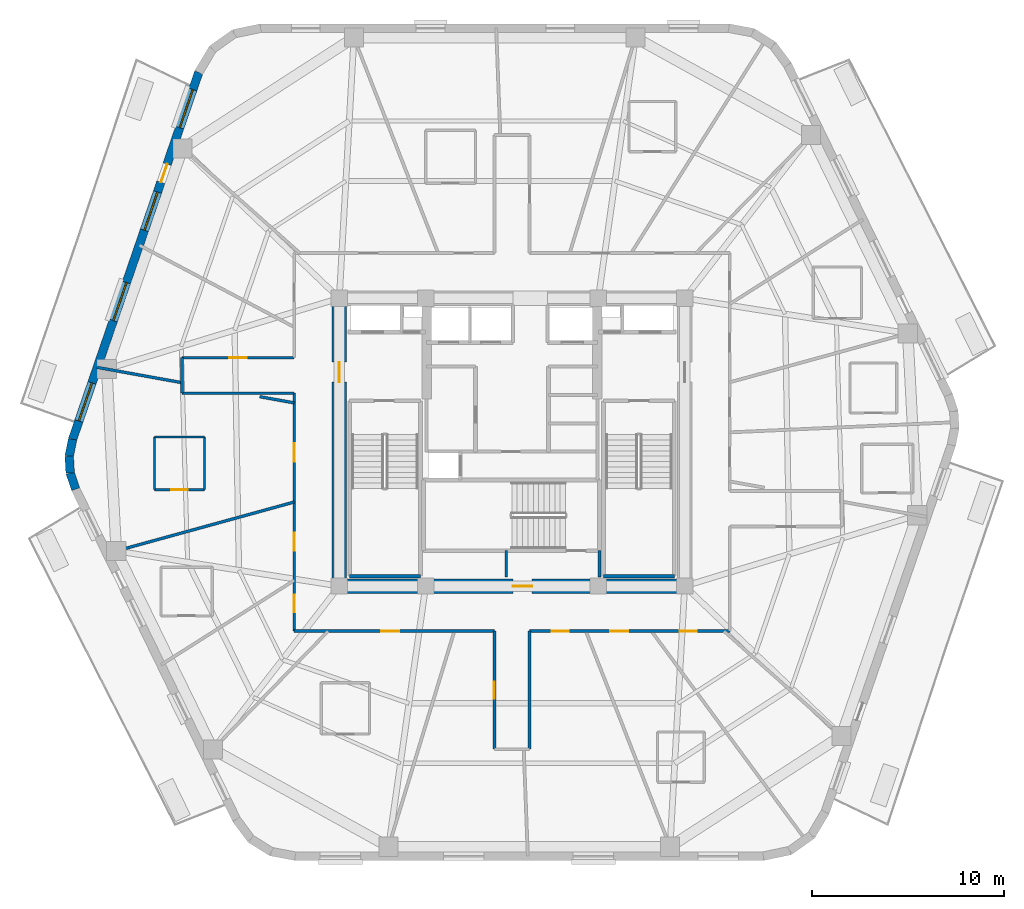
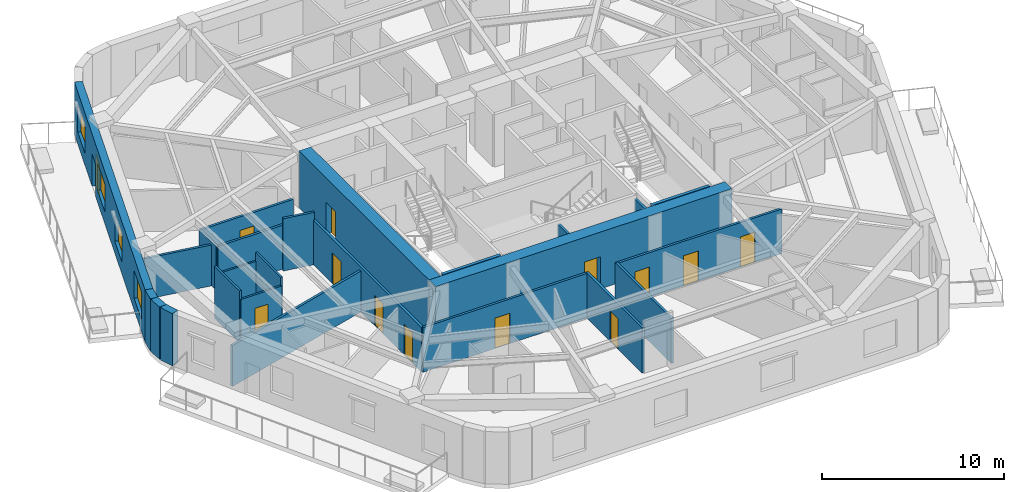
# One storey, part 3 of 10: 25 walls, 13 doors, 4 windows, 17 openings.
"""IFC4 building model written with IfcOpenShell, lengths in metres."""

from ifc_helpers import new_model, si_unit, direction, frame, frame_2d, origin, place, context, subcontext, project, spatial, rectangle, extrude, material, layer, layer_set, type_object, element, fill, save


model = new_model("IFC4")

# Units and contexts
model_context = context("Model", 3, precision=1e-05, world=origin(), true_north=direction((0.0, 1.0)))
body_context = subcontext(model_context, "Body", "Model", "MODEL_VIEW")
ifc_project = project(units=[si_unit("LENGTHUNIT", "METRE"), si_unit("AREAUNIT", "SQUARE_METRE"), si_unit("VOLUMEUNIT", "CUBIC_METRE"), si_unit("PLANEANGLEUNIT", "RADIAN"), si_unit("MASSUNIT", "GRAM", prefix="KILO")], contexts=[model_context])

# Site, building, storey
site_placement = place(None, origin())
site = spatial("IfcSite", under=ifc_project, at=site_placement, CompositionType="ELEMENT")
building_placement = place(site_placement, origin())
building = spatial("IfcBuilding", under=site, at=building_placement, Name="Kilnhurst Terrace Hotel", CompositionType="ELEMENT")
storey_placement = place(building_placement, frame((0.0, 0.0, 206.5)))
storey = spatial("IfcBuildingStorey", under=building, at=storey_placement, Name="L51", CompositionType="ELEMENT", Elevation=206.5)

# Walls
ifc_material_1 = material(Name="Precast concrete C40/50", Category="concrete")
ifc_layer_1 = layer(ifc_material_1, 0.449951171875, Name="Precast concrete C40/50")
ifc_layer_set_1 = layer_set([ifc_layer_1], Name="Precast concrete C40/50")
wall_type_1 = type_object("IfcWallType", Name="WL-BRK-450", PredefinedType="SOLIDWALL", material=ifc_layer_set_1)
wall_1_placement = place(storey_placement, frame((-22.8984375, 0.149658203125, 0.0), z_axis=(0.0, 0.0, 1.0), x_axis=(-0.199055826889, -0.979988151858, 0.0)))
element("IfcWall", 1, at=wall_1_placement, inside=storey, type_object=wall_type_1, Name="L51 Rounded Corner Brick Wall C6.1", PredefinedType="SOLIDWALL", context=body_context, shape_type="SweptSolid", body=[
    extrude(rectangle(XDim=0.89404296875, YDim=0.449951171875, at=frame_2d((0.447021484375, 0.0))), origin(), (0.0, 0.0, 1.0), 3.5),
])
wall_2_placement = place(storey_placement, frame((-23.076416015625, -0.7265625, 0.0), z_axis=(0.0, 0.0, 1.0), x_axis=(0.060805222108, -0.998149650586, 0.0)))
element("IfcWall", 2, at=wall_2_placement, inside=storey, type_object=wall_type_1, Name="L51 Rounded Corner Brick Wall C6.2", PredefinedType="SOLIDWALL", context=body_context, shape_type="SweptSolid", body=[
    extrude(rectangle(XDim=0.87939453125, YDim=0.449951171875, at=frame_2d((0.439697265625, 0.0))), origin(), (0.0, 0.0, 1.0), 3.5),
])
wall_3_placement = place(storey_placement, frame((-23.02294921875, -1.604248046875, 0.0), z_axis=(0.0, 0.0, 1.0), x_axis=(0.316801227695, -0.948491951537, 0.0)))
element("IfcWall", 3, at=wall_3_placement, inside=storey, type_object=wall_type_1, Name="L51 Rounded Corner Brick Wall C6.3", PredefinedType="SOLIDWALL", context=body_context, shape_type="SweptSolid", body=[
    extrude(rectangle(XDim=0.89404296875, YDim=0.449951171875, at=frame_2d((0.447021484375, 0.0))), origin(), (0.0, 0.0, 1.0), 3.5),
])

# Wall, openings, door, windows
wall_4_placement = place(storey_placement, frame((-16.323974609375, 19.275146484375, 0.0), z_axis=(0.0, 0.0, 1.0), x_axis=(-0.325083142304, -0.945685439557, 0.0)))
wall_4 = element("IfcWall", 4, at=wall_4_placement, inside=storey, type_object=wall_type_1, Name="L51 Exterior Brick Facade Wall F5", PredefinedType="SOLIDWALL", context=body_context, shape_type="SweptSolid", body=[
    extrude(rectangle(XDim=20.223876953125, YDim=0.449951171875, at=frame_2d((10.11181640625, 0.0))), origin(), (0.0, 0.0, 1.0), 3.5),
])
opening_1_placement = place(wall_4_placement, frame((5.06201171875, 0.0, 0.0)))
opening_1 = element("IfcOpeningElement", 5, at=opening_1_placement, cuts=wall_4, Name="Opening BD-1000", PredefinedType="OPENING", context=body_context, shape_type="SweptSolid", body=[
    extrude(rectangle(XDim=1.0, YDim=2.14990234375, at=frame_2d((0.5, 1.074951171875))), frame((0.0, 0.23486328125, 0.0), z_axis=(0.0, -1.0, 0.0), x_axis=(1.0, 0.0, 0.0)), (0.0, 0.0, 1.0), 0.469970703125),
])
opening_2_placement = place(wall_4_placement, frame((0.952880859375, 0.0, 0.800048828125)))
opening_2 = element("IfcOpeningElement", 6, at=opening_2_placement, cuts=wall_4, Name="Opening W-04", PredefinedType="OPENING", context=body_context, shape_type="SweptSolid", body=[
    extrude(rectangle(XDim=2.10009765625, YDim=1.85009765625, at=frame_2d((1.050048828125, 0.925048828125))), frame((0.0, 0.23486328125, 0.0), z_axis=(0.0, -1.0, 0.0), x_axis=(1.0, 0.0, 0.0)), (0.0, 0.0, 1.0), 0.469970703125),
])
opening_3_placement = place(wall_4_placement, frame((6.60400390625, 0.0, 0.800048828125)))
opening_3 = element("IfcOpeningElement", 7, at=opening_3_placement, cuts=wall_4, Name="Opening W-04", PredefinedType="OPENING", context=body_context, shape_type="SweptSolid", body=[
    extrude(rectangle(XDim=2.10009765625, YDim=1.85009765625, at=frame_2d((1.050048828125, 0.925048828125))), frame((0.0, 0.23486328125, 0.0), z_axis=(0.0, -1.0, 0.0), x_axis=(1.0, 0.0, 0.0)), (0.0, 0.0, 1.0), 0.469970703125),
])
opening_4_placement = place(wall_4_placement, frame((11.5849609375, 0.0, 0.800048828125)))
opening_4 = element("IfcOpeningElement", 8, at=opening_4_placement, cuts=wall_4, Name="Opening W-04", PredefinedType="OPENING", context=body_context, shape_type="SweptSolid", body=[
    extrude(rectangle(XDim=2.10009765625, YDim=1.85009765625, at=frame_2d((1.050048828125, 0.925048828125))), frame((0.0, 0.23486328125, 0.0), z_axis=(0.0, -1.0, 0.0), x_axis=(1.0, 0.0, 0.0)), (0.0, 0.0, 1.0), 0.469970703125),
])
opening_5_placement = place(wall_4_placement, frame((17.117919921875, 0.0, 0.800048828125)))
opening_5 = element("IfcOpeningElement", 9, at=opening_5_placement, cuts=wall_4, Name="Opening W-04", PredefinedType="OPENING", context=body_context, shape_type="SweptSolid", body=[
    extrude(rectangle(XDim=2.10009765625, YDim=1.85009765625, at=frame_2d((1.050048828125, 0.925048828125))), frame((0.0, 0.23486328125, 0.0), z_axis=(0.0, -1.0, 0.0), x_axis=(1.0, 0.0, 0.0)), (0.0, 0.0, 1.0), 0.469970703125),
])
ifc_material_2 = material(Name="Thermally Broken Bronze Aluminium Alloy 6063-T6 and Laminated Glass", Category="aluminium")
door_type_1 = type_object("IfcDoorType", Name="DR-EXT-BAL-1000", OperationType="NOTDEFINED", PredefinedType="DOOR", material=ifc_material_2)
door_1_placement = place(opening_1_placement, origin())
door_1 = element("IfcDoor", 10, at=door_1_placement, inside=storey, type_object=door_type_1, Name="L51 Planted Balcony Door BAL-L2A", OperationType="SINGLE_SWING_LEFT", OverallHeight=2.14990234375, OverallWidth=1.0, PredefinedType="DOOR", context=body_context, shape_type="SweptSolid", body=[
    extrude(rectangle(XDim=1.0, YDim=2.14990234375, at=frame_2d((0.5, 1.074951171875))), frame((0.0, 0.02490234375, 0.0), z_axis=(0.0, -1.0, 0.0), x_axis=(1.0, 0.0, 0.0)), (0.0, 0.0, 1.0), 0.050048828125),
])
fill(opening_1, door_1)
ifc_material_3 = material(Name="Thermally Broken Bronze Aluminium Alloy 6063-T6 and Low-E Glass", Category="aluminium")
window_type = type_object("IfcWindowType", Name="WIN-2100X1850", PartitioningType="SINGLE_PANEL", PredefinedType="WINDOW", material=ifc_material_3)
window_1_placement = place(opening_2_placement, origin())
window_1 = element("IfcWindow", 11, at=window_1_placement, inside=storey, type_object=window_type, Name="L51 Deep-Set Masonry Window F5.1", OverallHeight=1.85009765625, OverallWidth=2.10009765625, PartitioningType="SINGLE_PANEL", PredefinedType="WINDOW", context=body_context, shape_type="SweptSolid", body=[
    extrude(rectangle(XDim=2.10009765625, YDim=1.85009765625, at=frame_2d((1.050048828125, 0.925048828125))), frame((0.0, 0.030029296875, 0.0), z_axis=(0.0, -1.0, 0.0), x_axis=(1.0, 0.0, 0.0)), (0.0, 0.0, 1.0), 0.06005859375),
])
fill(opening_2, window_1)
window_2_placement = place(opening_3_placement, origin())
window_2 = element("IfcWindow", 12, at=window_2_placement, inside=storey, type_object=window_type, Name="L51 Deep-Set Masonry Window F5.2", OverallHeight=1.85009765625, OverallWidth=2.10009765625, PartitioningType="SINGLE_PANEL", PredefinedType="WINDOW", context=body_context, shape_type="SweptSolid", body=[
    extrude(rectangle(XDim=2.10009765625, YDim=1.85009765625, at=frame_2d((1.050048828125, 0.925048828125))), frame((0.0, 0.030029296875, 0.0), z_axis=(0.0, -1.0, 0.0), x_axis=(1.0, 0.0, 0.0)), (0.0, 0.0, 1.0), 0.06005859375),
])
fill(opening_3, window_2)
window_3_placement = place(opening_4_placement, origin())
window_3 = element("IfcWindow", 13, at=window_3_placement, inside=storey, type_object=window_type, Name="L51 Deep-Set Masonry Window F5.3", OverallHeight=1.85009765625, OverallWidth=2.10009765625, PartitioningType="SINGLE_PANEL", PredefinedType="WINDOW", context=body_context, shape_type="SweptSolid", body=[
    extrude(rectangle(XDim=2.10009765625, YDim=1.85009765625, at=frame_2d((1.050048828125, 0.925048828125))), frame((0.0, 0.030029296875, 0.0), z_axis=(0.0, -1.0, 0.0), x_axis=(1.0, 0.0, 0.0)), (0.0, 0.0, 1.0), 0.06005859375),
])
fill(opening_4, window_3)
window_4_placement = place(opening_5_placement, origin())
window_4 = element("IfcWindow", 14, at=window_4_placement, inside=storey, type_object=window_type, Name="L51 Deep-Set Masonry Window F5.4", OverallHeight=1.85009765625, OverallWidth=2.10009765625, PartitioningType="SINGLE_PANEL", PredefinedType="WINDOW", context=body_context, shape_type="SweptSolid", body=[
    extrude(rectangle(XDim=2.10009765625, YDim=1.85009765625, at=frame_2d((1.050048828125, 0.925048828125))), frame((0.0, 0.030029296875, 0.0), z_axis=(0.0, -1.0, 0.0), x_axis=(1.0, 0.0, 0.0)), (0.0, 0.0, 1.0), 0.06005859375),
])
fill(opening_5, window_4)

# Wall, openings, doors
ifc_material_4 = material(Name="Acoustic Double-Gypsum Corridor Partition Assembly")
ifc_layer_2 = layer(ifc_material_4, 0.14990234375, Name="Acoustic Double-Gypsum Corridor Partition Assembly")
ifc_layer_set_2 = layer_set([ifc_layer_2], Name="Acoustic Double-Gypsum Corridor Partition Assembly")
wall_type_2 = type_object("IfcWallType", Name="WL-COR-150", PredefinedType="PARTITIONING", material=ifc_layer_set_2)
wall_5_placement = place(storey_placement, frame((-11.35009765625, -9.85009765625, 0.0), z_axis=(0.0, 0.0, 1.0), x_axis=(0.0, 1.0, 0.0)))
wall_5 = element("IfcWall", 15, at=wall_5_placement, inside=storey, type_object=wall_type_2, Name="L51 Interior Wall WL-L51-COR-01", PredefinedType="PARTITIONING", context=body_context, shape_type="SweptSolid", body=[
    extrude(rectangle(XDim=12.400146484375, YDim=0.14990234375, at=frame_2d((6.2001953125, 0.0))), origin(), (0.0, 0.0, 1.0), 2.989990234375),
])
opening_6_placement = place(wall_5_placement, frame((8.8349609375, 0.0, 0.0)))
opening_6 = element("IfcOpeningElement", 16, at=opening_6_placement, cuts=wall_5, Name="Opening D-60B", PredefinedType="OPENING", context=body_context, shape_type="SweptSolid", body=[
    extrude(rectangle(XDim=0.949951171875, YDim=2.030029296875, at=frame_2d((0.47509765625, 1.01513671875))), frame((0.0, 0.0849609375, 0.0), z_axis=(0.0, -1.0, 0.0), x_axis=(1.0, 0.0, 0.0)), (0.0, 0.0, 1.0), 0.169921875),
])
opening_7_placement = place(wall_5_placement, frame((4.19091796875, 0.0, 0.0)))
opening_7 = element("IfcOpeningElement", 17, at=opening_7_placement, cuts=wall_5, Name="Opening D-60B", PredefinedType="OPENING", context=body_context, shape_type="SweptSolid", body=[
    extrude(rectangle(XDim=0.949951171875, YDim=2.030029296875, at=frame_2d((0.47509765625, 1.01513671875))), frame((0.0, 0.0849609375, 0.0), z_axis=(0.0, -1.0, 0.0), x_axis=(1.0, 0.0, 0.0)), (0.0, 0.0, 1.0), 0.169921875),
])
opening_8_placement = place(wall_5_placement, frame((0.993896484375, 0.0, 0.0)))
opening_8 = element("IfcOpeningElement", 18, at=opening_8_placement, cuts=wall_5, Name="Opening D-60C", PredefinedType="OPENING", context=body_context, shape_type="SweptSolid", body=[
    extrude(rectangle(XDim=0.89990234375, YDim=2.030029296875, at=frame_2d((0.449951171875, 1.01513671875))), frame((0.0, 0.0849609375, 0.0), z_axis=(0.0, -1.0, 0.0), x_axis=(1.0, 0.0, 0.0)), (0.0, 0.0, 1.0), 0.169921875),
])
ifc_material_5 = material(Name="Painted Solid-Core Service Fire Door")
door_type_2 = type_object("IfcDoorType", Name="DR-FD60-900", OperationType="NOTDEFINED", PredefinedType="DOOR", material=ifc_material_5)
door_2_placement = place(opening_8_placement, origin())
door_2 = element("IfcDoor", 19, at=door_2_placement, inside=storey, type_object=door_type_2, Name="L51 Private Tasting Dining Room Door 13", OperationType="SINGLE_SWING_LEFT", OverallHeight=2.030029296875, OverallWidth=0.89990234375, PredefinedType="DOOR", context=body_context, shape_type="SweptSolid", body=[
    extrude(rectangle(XDim=0.89990234375, YDim=2.030029296875, at=frame_2d((0.449951171875, 1.01513671875))), frame((0.0, 0.02490234375, 0.0), z_axis=(0.0, -1.0, 0.0), x_axis=(1.0, 0.0, 0.0)), (0.0, 0.0, 1.0), 0.050048828125),
])
fill(opening_8, door_2)
ifc_material_6 = material(Name="Acoustic Walnut Veneer Solid-Core Fire Door")
door_type_3 = type_object("IfcDoorType", Name="DR-FD60-950", OperationType="NOTDEFINED", PredefinedType="DOOR", material=ifc_material_6)
door_3_placement = place(opening_6_placement, origin())
door_3 = element("IfcDoor", 20, at=door_3_placement, inside=storey, type_object=door_type_3, Name="L51 Executive Suite Entry Door 11", OperationType="SINGLE_SWING_LEFT", OverallHeight=2.030029296875, OverallWidth=0.949951171875, PredefinedType="DOOR", context=body_context, shape_type="SweptSolid", body=[
    extrude(rectangle(XDim=0.949951171875, YDim=2.030029296875, at=frame_2d((0.47509765625, 1.01513671875))), frame((0.0, 0.02490234375, 0.0), z_axis=(0.0, -1.0, 0.0), x_axis=(1.0, 0.0, 0.0)), (0.0, 0.0, 1.0), 0.050048828125),
])
fill(opening_6, door_3)
door_4_placement = place(opening_7_placement, origin())
door_4 = element("IfcDoor", 21, at=door_4_placement, inside=storey, type_object=door_type_3, Name="L51 Guest Room Entry Door 12", OperationType="SINGLE_SWING_RIGHT", OverallHeight=2.030029296875, OverallWidth=0.949951171875, PredefinedType="DOOR", context=body_context, shape_type="SweptSolid", body=[
    extrude(rectangle(XDim=0.949951171875, YDim=2.030029296875, at=frame_2d((0.47509765625, 1.01513671875))), frame((0.0, 0.02490234375, 0.0), z_axis=(0.0, -1.0, 0.0), x_axis=(1.0, 0.0, 0.0)), (0.0, 0.0, 1.0), 0.050048828125),
])
fill(opening_7, door_4)

# Walls
wall_6_placement = place(storey_placement, frame((-11.35009765625, 2.550048828125, 0.0), z_axis=(0.0, 0.0, 1.0), x_axis=(-1.0, 0.0, 0.0)))
element("IfcWall", 22, at=wall_6_placement, inside=storey, type_object=wall_type_2, Name="L51 Interior Wall WL-L51-COR-02", PredefinedType="PARTITIONING", context=body_context, shape_type="SweptSolid", body=[
    extrude(rectangle(XDim=5.849853515625, YDim=0.14990234375, at=frame_2d((2.9248046875, 0.0))), origin(), (0.0, 0.0, 1.0), 2.9404296875),
])
wall_7_placement = place(storey_placement, frame((-17.199951171875, 2.550048828125, 0.0), z_axis=(0.0, 0.0, 1.0), x_axis=(0.0, 1.0, 0.0)))
element("IfcWall", 23, at=wall_7_placement, inside=storey, type_object=wall_type_2, Name="L51 Interior Wall WL-L51-COR-03", PredefinedType="PARTITIONING", context=body_context, shape_type="SweptSolid", body=[
    extrude(rectangle(XDim=1.849853515625, YDim=0.14990234375, at=frame_2d((0.9248046875, 0.0))), origin(), (0.0, 0.0, 1.0), 2.9404296875),
])

# Wall, opening, door
wall_8_placement = place(storey_placement, frame((-17.199951171875, 4.39990234375, 0.0), z_axis=(0.0, 0.0, 1.0), x_axis=(1.0, 0.0, 0.0)))
wall_8 = element("IfcWall", 24, at=wall_8_placement, inside=storey, type_object=wall_type_2, Name="L51 Interior Wall WL-L51-COR-04", PredefinedType="PARTITIONING", context=body_context, shape_type="SweptSolid", body=[
    extrude(rectangle(XDim=5.849853515625, YDim=0.14990234375, at=frame_2d((2.9248046875, 0.0))), origin(), (0.0, 0.0, 1.0), 2.9404296875),
])
opening_9_placement = place(wall_8_placement, frame((2.47509765625, 0.0, 0.0)))
opening_9 = element("IfcOpeningElement", 25, at=opening_9_placement, cuts=wall_8, Name="Opening D-60C", PredefinedType="OPENING", context=body_context, shape_type="SweptSolid", body=[
    extrude(rectangle(XDim=0.89990234375, YDim=2.030029296875, at=frame_2d((0.449951171875, 1.01513671875))), frame((0.0, 0.0849609375, 0.0), z_axis=(0.0, -1.0, 0.0), x_axis=(1.0, 0.0, 0.0)), (0.0, 0.0, 1.0), 0.169921875),
])
door_5_placement = place(opening_9_placement, origin())
door_5 = element("IfcDoor", 26, at=door_5_placement, inside=storey, type_object=door_type_2, Name="L51 Wellness Consultation Room Door 10", OperationType="SINGLE_SWING_RIGHT", OverallHeight=2.030029296875, OverallWidth=0.89990234375, PredefinedType="DOOR", context=body_context, shape_type="SweptSolid", body=[
    extrude(rectangle(XDim=0.89990234375, YDim=2.030029296875, at=frame_2d((0.449951171875, 1.01513671875))), frame((0.0, 0.02490234375, 0.0), z_axis=(0.0, -1.0, 0.0), x_axis=(1.0, 0.0, 0.0)), (0.0, 0.0, 1.0), 0.050048828125),
])
fill(opening_9, door_5)

# Wall, openings, doors
wall_9_placement = place(storey_placement, frame((11.35009765625, -9.85009765625, 0.0), z_axis=(0.0, 0.0, 1.0), x_axis=(-1.0, 0.0, 0.0)))
wall_9 = element("IfcWall", 27, at=wall_9_placement, inside=storey, type_object=wall_type_2, Name="L51 Interior Wall WL-L51-COR-16", PredefinedType="PARTITIONING", context=body_context, shape_type="SweptSolid", body=[
    extrude(rectangle(XDim=10.43017578125, YDim=0.14990234375, at=frame_2d((5.215087890625, 0.0))), origin(), (0.0, 0.0, 1.0), 2.989990234375),
])
opening_10_placement = place(wall_9_placement, frame((8.386962890625, 0.0, 0.0)))
opening_10 = element("IfcOpeningElement", 28, at=opening_10_placement, cuts=wall_9, Name="Opening D-60C", PredefinedType="OPENING", context=body_context, shape_type="SweptSolid", body=[
    extrude(rectangle(XDim=0.89990234375, YDim=2.030029296875, at=frame_2d((0.449951171875, 1.01513671875))), frame((0.0, 0.0849609375, 0.0), z_axis=(0.0, -1.0, 0.0), x_axis=(1.0, 0.0, 0.0)), (0.0, 0.0, 1.0), 0.169921875),
])
opening_11_placement = place(wall_9_placement, frame((5.287109375, 0.0, 0.0)))
opening_11 = element("IfcOpeningElement", 29, at=opening_11_placement, cuts=wall_9, Name="Opening D-60B", PredefinedType="OPENING", context=body_context, shape_type="SweptSolid", body=[
    extrude(rectangle(XDim=0.949951171875, YDim=2.030029296875, at=frame_2d((0.47509765625, 1.01513671875))), frame((0.0, 0.0849609375, 0.0), z_axis=(0.0, -1.0, 0.0), x_axis=(1.0, 0.0, 0.0)), (0.0, 0.0, 1.0), 0.169921875),
])
opening_12_placement = place(wall_9_placement, frame((1.7099609375, 0.0, 0.0)))
opening_12 = element("IfcOpeningElement", 30, at=opening_12_placement, cuts=wall_9, Name="Opening D-60C", PredefinedType="OPENING", context=body_context, shape_type="SweptSolid", body=[
    extrude(rectangle(XDim=0.89990234375, YDim=2.030029296875, at=frame_2d((0.449951171875, 1.01513671875))), frame((0.0, 0.0849609375, 0.0), z_axis=(0.0, -1.0, 0.0), x_axis=(1.0, 0.0, 0.0)), (0.0, 0.0, 1.0), 0.169921875),
])
door_6_placement = place(opening_10_placement, origin())
door_6 = element("IfcDoor", 31, at=door_6_placement, inside=storey, type_object=door_type_2, Name="L51 Executive Work Office Door 16", OperationType="SINGLE_SWING_RIGHT", OverallHeight=2.030029296875, OverallWidth=0.89990234375, PredefinedType="DOOR", context=body_context, shape_type="SweptSolid", body=[
    extrude(rectangle(XDim=0.89990234375, YDim=2.030029296875, at=frame_2d((0.449951171875, 1.01513671875))), frame((0.0, 0.02490234375, 0.0), z_axis=(0.0, -1.0, 0.0), x_axis=(1.0, 0.0, 0.0)), (0.0, 0.0, 1.0), 0.050048828125),
])
fill(opening_10, door_6)
door_7_placement = place(opening_12_placement, origin())
door_7 = element("IfcDoor", 32, at=door_7_placement, inside=storey, type_object=door_type_2, Name="L51 Botanical Reading Lounge Door 18", OperationType="SINGLE_SWING_RIGHT", OverallHeight=2.030029296875, OverallWidth=0.89990234375, PredefinedType="DOOR", context=body_context, shape_type="SweptSolid", body=[
    extrude(rectangle(XDim=0.89990234375, YDim=2.030029296875, at=frame_2d((0.449951171875, 1.01513671875))), frame((0.0, 0.02490234375, 0.0), z_axis=(0.0, -1.0, 0.0), x_axis=(1.0, 0.0, 0.0)), (0.0, 0.0, 1.0), 0.050048828125),
])
fill(opening_12, door_7)
door_8_placement = place(opening_11_placement, origin())
door_8 = element("IfcDoor", 33, at=door_8_placement, inside=storey, type_object=door_type_3, Name="L51 Guest Room Entry Door 17", OperationType="SINGLE_SWING_LEFT", OverallHeight=2.030029296875, OverallWidth=0.949951171875, PredefinedType="DOOR", context=body_context, shape_type="SweptSolid", body=[
    extrude(rectangle(XDim=0.949951171875, YDim=2.030029296875, at=frame_2d((0.47509765625, 1.01513671875))), frame((0.0, 0.02490234375, 0.0), z_axis=(0.0, -1.0, 0.0), x_axis=(1.0, 0.0, 0.0)), (0.0, 0.0, 1.0), 0.050048828125),
])
fill(opening_11, door_8)

# Wall
wall_10_placement = place(storey_placement, frame((0.919921875, -9.85009765625, 0.0), z_axis=(0.0, 0.0, 1.0), x_axis=(0.0, -1.0, 0.0)))
element("IfcWall", 34, at=wall_10_placement, inside=storey, type_object=wall_type_2, Name="L51 Interior Wall WL-L51-COR-17", PredefinedType="PARTITIONING", context=body_context, shape_type="SweptSolid", body=[
    extrude(rectangle(XDim=6.14990234375, YDim=0.14990234375, at=frame_2d((3.074951171875, 0.0))), origin(), (0.0, 0.0, 1.0), 3.026611328125),
])

# Wall, opening, door
wall_11_placement = place(storey_placement, frame((-0.919921875, -16.0, 0.0), z_axis=(0.0, 0.0, 1.0), x_axis=(0.0, 1.0, 0.0)))
wall_11 = element("IfcWall", 35, at=wall_11_placement, inside=storey, type_object=wall_type_2, Name="L51 Interior Wall WL-L51-COR-19", PredefinedType="PARTITIONING", context=body_context, shape_type="SweptSolid", body=[
    extrude(rectangle(XDim=6.14990234375, YDim=0.14990234375, at=frame_2d((3.074951171875, 0.0))), origin(), (0.0, 0.0, 1.0), 3.026611328125),
])
opening_13_placement = place(wall_11_placement, frame((2.625, 0.0, 0.0)))
opening_13 = element("IfcOpeningElement", 36, at=opening_13_placement, cuts=wall_11, Name="Opening D-60C", PredefinedType="OPENING", context=body_context, shape_type="SweptSolid", body=[
    extrude(rectangle(XDim=0.89990234375, YDim=2.030029296875, at=frame_2d((0.449951171875, 1.01513671875))), frame((0.0, 0.0849609375, 0.0), z_axis=(0.0, -1.0, 0.0), x_axis=(1.0, 0.0, 0.0)), (0.0, 0.0, 1.0), 0.169921875),
])
door_9_placement = place(opening_13_placement, origin())
door_9 = element("IfcDoor", 37, at=door_9_placement, inside=storey, type_object=door_type_2, Name="L51 Executive Work Office Door 15", OperationType="SINGLE_SWING_LEFT", OverallHeight=2.030029296875, OverallWidth=0.89990234375, PredefinedType="DOOR", context=body_context, shape_type="SweptSolid", body=[
    extrude(rectangle(XDim=0.89990234375, YDim=2.030029296875, at=frame_2d((0.449951171875, 1.01513671875))), frame((0.0, 0.02490234375, 0.0), z_axis=(0.0, -1.0, 0.0), x_axis=(1.0, 0.0, 0.0)), (0.0, 0.0, 1.0), 0.050048828125),
])
fill(opening_13, door_9)

wall_12_placement = place(storey_placement, frame((-0.919921875, -9.85009765625, 0.0), z_axis=(0.0, 0.0, 1.0), x_axis=(-1.0, 0.0, 0.0)))
wall_12 = element("IfcWall", 38, at=wall_12_placement, inside=storey, type_object=wall_type_2, Name="L51 Interior Wall WL-L51-COR-20", PredefinedType="PARTITIONING", context=body_context, shape_type="SweptSolid", body=[
    extrude(rectangle(XDim=10.43017578125, YDim=0.14990234375, at=frame_2d((5.215087890625, 0.0))), origin(), (0.0, 0.0, 1.0), 2.989990234375),
])
opening_14_placement = place(wall_12_placement, frame((4.948974609375, 0.0, 0.0)))
opening_14 = element("IfcOpeningElement", 39, at=opening_14_placement, cuts=wall_12, Name="Opening D-60B", PredefinedType="OPENING", context=body_context, shape_type="SweptSolid", body=[
    extrude(rectangle(XDim=0.949951171875, YDim=2.030029296875, at=frame_2d((0.47509765625, 1.01513671875))), frame((0.0, 0.0849609375, 0.0), z_axis=(0.0, -1.0, 0.0), x_axis=(1.0, 0.0, 0.0)), (0.0, 0.0, 1.0), 0.169921875),
])
door_10_placement = place(opening_14_placement, origin())
door_10 = element("IfcDoor", 40, at=door_10_placement, inside=storey, type_object=door_type_3, Name="L51 Executive Suite Entry Door 14", OperationType="SINGLE_SWING_RIGHT", OverallHeight=2.030029296875, OverallWidth=0.949951171875, PredefinedType="DOOR", context=body_context, shape_type="SweptSolid", body=[
    extrude(rectangle(XDim=0.949951171875, YDim=2.030029296875, at=frame_2d((0.47509765625, 1.01513671875))), frame((0.0, 0.02490234375, 0.0), z_axis=(0.0, -1.0, 0.0), x_axis=(1.0, 0.0, 0.0)), (0.0, 0.0, 1.0), 0.050048828125),
])
fill(opening_14, door_10)

ifc_material_7 = material(Name="Concrete C60/75", Category="concrete")
ifc_layer_3 = layer(ifc_material_7, 0.75, Name="Concrete C60/75")
ifc_layer_set_3 = layer_set([ifc_layer_3], Name="Concrete C60/75")
wall_type_3 = type_object("IfcWallType", Name="WL-CORE-750", PredefinedType="SHEAR", material=ifc_layer_set_3)
wall_13_placement = place(storey_placement, frame((-9.375, -7.5, 0.0), z_axis=(0.0, 0.0, 1.0), x_axis=(1.0, 0.0, 0.0)))
wall_13 = element("IfcWall", 41, at=wall_13_placement, inside=storey, type_object=wall_type_3, Name="L51 Core South Shear Wall", PredefinedType="SHEAR", context=body_context, shape_type="SweptSolid", body=[
    extrude(rectangle(XDim=18.75, YDim=0.75, at=frame_2d((9.375, 0.0))), origin(), (0.0, 0.0, 1.0), 3.800048828125),
])
opening_15_placement = place(wall_13_placement, frame((9.425048828125, 0.0, 0.0)))
opening_15 = element("IfcOpeningElement", 42, at=opening_15_placement, cuts=wall_13, Name="Opening D-90B", PredefinedType="OPENING", context=body_context, shape_type="SweptSolid", body=[
    extrude(rectangle(XDim=1.0, YDim=2.14990234375, at=frame_2d((0.5, 1.074951171875))), frame((0.0, 0.385009765625, 0.0), z_axis=(0.0, -1.0, 0.0), x_axis=(1.0, 0.0, 0.0)), (0.0, 0.0, 1.0), 0.77001953125),
])
ifc_material_8 = material(Name="Painted Hollow Metal Steel ASTM A36 Fire Door", Category="steel")
door_type_4 = type_object("IfcDoorType", Name="DR-FD90-1000", OperationType="NOTDEFINED", PredefinedType="DOOR", material=ifc_material_8)
door_11_placement = place(opening_15_placement, origin())
door_11 = element("IfcDoor", 43, at=door_11_placement, inside=storey, type_object=door_type_4, Name="L51 Stair ST-3 Corridor Door", OperationType="SINGLE_SWING_RIGHT", OverallHeight=2.14990234375, OverallWidth=1.0, PredefinedType="DOOR", context=body_context, shape_type="SweptSolid", body=[
    extrude(rectangle(XDim=1.0, YDim=2.14990234375, at=frame_2d((0.5, 1.074951171875))), frame((0.0, 0.02490234375, 0.0), z_axis=(0.0, -1.0, 0.0), x_axis=(1.0, 0.0, 0.0)), (0.0, 0.0, 1.0), 0.050048828125),
])
fill(opening_15, door_11)

wall_14_placement = place(storey_placement, frame((-9.0, -7.125, 0.0), z_axis=(0.0, 0.0, 1.0), x_axis=(0.0, 1.0, 0.0)))
wall_14 = element("IfcWall", 44, at=wall_14_placement, inside=storey, type_object=wall_type_3, Name="L51 Core West Shear Wall", PredefinedType="SHEAR", context=body_context, shape_type="SweptSolid", body=[
    extrude(rectangle(XDim=14.25, YDim=0.75, at=frame_2d((7.125, 0.0))), origin(), (0.0, 0.0, 1.0), 3.800048828125),
])
opening_16_placement = place(wall_14_placement, frame((10.25, 0.0, 0.0)))
opening_16 = element("IfcOpeningElement", 45, at=opening_16_placement, cuts=wall_14, Name="Opening D-90A", PredefinedType="OPENING", context=body_context, shape_type="SweptSolid", body=[
    extrude(rectangle(XDim=1.050048828125, YDim=2.14990234375, at=frame_2d((0.52490234375, 1.074951171875))), frame((0.0, 0.385009765625, 0.0), z_axis=(0.0, -1.0, 0.0), x_axis=(1.0, 0.0, 0.0)), (0.0, 0.0, 1.0), 0.77001953125),
])
door_type_5 = type_object("IfcDoorType", Name="DR-FD90-1050", OperationType="NOTDEFINED", PredefinedType="DOOR", material=ifc_material_8)
door_12_placement = place(opening_16_placement, origin())
door_12 = element("IfcDoor", 46, at=door_12_placement, inside=storey, type_object=door_type_5, Name="L51 West Firefighting Lobby Door", OperationType="SINGLE_SWING_RIGHT", OverallHeight=2.14990234375, OverallWidth=1.050048828125, PredefinedType="DOOR", context=body_context, shape_type="SweptSolid", body=[
    extrude(rectangle(XDim=1.050048828125, YDim=2.14990234375, at=frame_2d((0.52490234375, 1.074951171875))), frame((0.0, 0.02490234375, 0.0), z_axis=(0.0, -1.0, 0.0), x_axis=(1.0, 0.0, 0.0)), (0.0, 0.0, 1.0), 0.050048828125),
])
fill(opening_16, door_12)

# Walls
ifc_material_9 = material(Name="STC-58 Acoustic Twin-Frame Guestroom Demising Partition")
ifc_layer_4 = layer(ifc_material_9, 0.14990234375, Name="STC-58 Acoustic Twin-Frame Guestroom Demising Partition")
ifc_layer_set_4 = layer_set([ifc_layer_4], Name="STC-58 Acoustic Twin-Frame Guestroom Demising Partition")
wall_type_4 = type_object("IfcWallType", Name="WL-DEM-150", PredefinedType="PARTITIONING", material=ifc_layer_set_4)
wall_15_placement = place(storey_placement, frame((-11.35009765625, 2.046142578125, 0.0), z_axis=(0.0, 0.0, 1.0), x_axis=(-0.984127783205, 0.177461281195, 0.0)))
element("IfcWall", 47, at=wall_15_placement, inside=storey, type_object=wall_type_4, Name="L51 Interior Wall WL-L51-DEM-COL06-11-1", PredefinedType="PARTITIONING", context=body_context, shape_type="SweptSolid", body=[
    extrude(rectangle(XDim=1.82568359375, YDim=0.14990234375, at=frame_2d((0.912841796875, 0.0))), origin(), (0.0, 0.0, 1.0), 3.5),
])
wall_16_placement = place(storey_placement, frame((-17.199951171875, 3.1005859375, 0.0), z_axis=(0.0, 0.0, 1.0), x_axis=(-0.98413465883, 0.177423147559, 0.0)))
element("IfcWall", 48, at=wall_16_placement, inside=storey, type_object=wall_type_4, Name="L51 Interior Wall WL-L51-DEM-COL06-11-2", PredefinedType="PARTITIONING", context=body_context, shape_type="SweptSolid", body=[
    extrude(rectangle(XDim=4.481689453125, YDim=0.14990234375, at=frame_2d((2.24072265625, 0.0))), origin(), (0.0, 0.0, 1.0), 2.739990234375),
])
wall_17_placement = place(storey_placement, frame((-11.35009765625, -3.12060546875, 0.0), z_axis=(0.0, 0.0, 1.0), x_axis=(-0.964212793822, -0.265129568758, 0.0)))
element("IfcWall", 49, at=wall_17_placement, inside=storey, type_object=wall_type_4, Name="L51 Interior Wall WL-L51-DEM-COL07-12-1", PredefinedType="PARTITIONING", context=body_context, shape_type="SweptSolid", body=[
    extrude(rectangle(XDim=10.119873046875, YDim=0.14990234375, at=frame_2d((5.06005859375, 0.0))), origin(), (0.0, 0.0, 1.0), 2.739990234375),
])

# Wall, opening, door
ifc_material_10 = material(Name="120 mm Moisture-Resistant Tile-Backed Bathroom Partition")
ifc_layer_5 = layer(ifc_material_10, 0.1201171875, Name="120 mm Moisture-Resistant Tile-Backed Bathroom Partition")
ifc_layer_set_5 = layer_set([ifc_layer_5], Name="120 mm Moisture-Resistant Tile-Backed Bathroom Partition")
wall_type_5 = type_object("IfcWallType", Name="WL-PART-120", PredefinedType="PARTITIONING", material=ifc_layer_set_5)
wall_18_placement = place(storey_placement, frame((-18.6259765625, -2.47607421875, 0.0), z_axis=(0.0, 0.0, 1.0), x_axis=(1.0, 0.0, 0.0)))
wall_18 = element("IfcWall", 50, at=wall_18_placement, inside=storey, type_object=wall_type_5, Name="L51 Interior Wall WL-L51-BTH-11-1", PredefinedType="PARTITIONING", context=body_context, shape_type="SweptSolid", body=[
    extrude(rectangle(XDim=2.60009765625, YDim=0.1201171875, at=frame_2d((1.300048828125, 0.0))), origin(), (0.0, 0.0, 1.0), 2.9404296875),
])
opening_17_placement = place(wall_18_placement, frame((0.875, 0.0, 0.0)))
opening_17 = element("IfcOpeningElement", 51, at=opening_17_placement, cuts=wall_18, Name="Opening D-08A", PredefinedType="OPENING", context=body_context, shape_type="SweptSolid", body=[
    extrude(rectangle(XDim=0.85009765625, YDim=2.030029296875, at=frame_2d((0.425048828125, 1.01513671875))), frame((0.0, 0.070068359375, 0.0), z_axis=(0.0, -1.0, 0.0), x_axis=(1.0, 0.0, 0.0)), (0.0, 0.0, 1.0), 0.14013671875),
])
ifc_material_11 = material(Name="Moisture-Resistant Lacquered En-suite Bathroom Door")
door_type_6 = type_object("IfcDoorType", Name="DR-INT-850", OperationType="NOTDEFINED", PredefinedType="DOOR", material=ifc_material_11)
door_13_placement = place(opening_17_placement, origin())
door_13 = element("IfcDoor", 52, at=door_13_placement, inside=storey, type_object=door_type_6, Name="L51 En-suite Bathroom Door 11", OperationType="SINGLE_SWING_RIGHT", OverallHeight=2.030029296875, OverallWidth=0.85009765625, PredefinedType="DOOR", context=body_context, shape_type="SweptSolid", body=[
    extrude(rectangle(XDim=0.85009765625, YDim=2.030029296875, at=frame_2d((0.425048828125, 1.01513671875))), frame((0.0, 0.02490234375, 0.0), z_axis=(0.0, -1.0, 0.0), x_axis=(1.0, 0.0, 0.0)), (0.0, 0.0, 1.0), 0.050048828125),
])
fill(opening_17, door_13)

# Walls
wall_19_placement = place(storey_placement, frame((-16.02587890625, -2.47607421875, 0.0), z_axis=(0.0, 0.0, 1.0), x_axis=(0.0, 1.0, 0.0)))
element("IfcWall", 53, at=wall_19_placement, inside=storey, type_object=wall_type_5, Name="L51 Interior Wall WL-L51-BTH-11-2", PredefinedType="PARTITIONING", context=body_context, shape_type="SweptSolid", body=[
    extrude(rectangle(XDim=2.75, YDim=0.1201171875, at=frame_2d((1.375, 0.0))), origin(), (0.0, 0.0, 1.0), 3.5),
])
wall_20_placement = place(storey_placement, frame((-16.02587890625, 0.27392578125, 0.0), z_axis=(0.0, 0.0, 1.0), x_axis=(-1.0, 0.0, 0.0)))
element("IfcWall", 54, at=wall_20_placement, inside=storey, type_object=wall_type_5, Name="L51 Interior Wall WL-L51-BTH-11-3", PredefinedType="PARTITIONING", context=body_context, shape_type="SweptSolid", body=[
    extrude(rectangle(XDim=2.60009765625, YDim=0.1201171875, at=frame_2d((1.300048828125, 0.0))), origin(), (0.0, 0.0, 1.0), 2.9404296875),
])
wall_21_placement = place(storey_placement, frame((-18.6259765625, 0.27392578125, 0.0), z_axis=(0.0, 0.0, 1.0), x_axis=(0.0, -1.0, 0.0)))
element("IfcWall", 55, at=wall_21_placement, inside=storey, type_object=wall_type_5, Name="L51 Interior Wall WL-L51-BTH-11-4", PredefinedType="PARTITIONING", context=body_context, shape_type="SweptSolid", body=[
    extrude(rectangle(XDim=2.75, YDim=0.1201171875, at=frame_2d((1.375, 0.0))), origin(), (0.0, 0.0, 1.0), 3.5),
])
ifc_material_12 = material(Name="Fire-Rated Gypsum Shaftliner Assembly")
ifc_layer_6 = layer(ifc_material_12, 0.14990234375, Name="Fire-Rated Gypsum Shaftliner Assembly")
ifc_layer_set_6 = layer_set([ifc_layer_6], Name="Fire-Rated Gypsum Shaftliner Assembly")
wall_type_6 = type_object("IfcWallType", Name="WL-SHAFT-150", PredefinedType="PARTITIONING", material=ifc_layer_set_6)
for number, where, z_axis, x_axis, name in (
    (56, (-0.300048828125, -7.02001953125, 0.0), (0.0, 0.0, 1.0), (0.0, 1.0, 0.0), "L51 Interior Wall WL-L51-ST3-PSGW"),
    (57, (4.55810546875, -7.02001953125, 0.0), (0.0, 0.0, 1.0), (0.0, 1.0, 0.0), "L51 Interior Wall WL-L51-ST3-PSGE"),
):
    element("IfcWall", number, at=place(storey_placement, frame(where, z_axis=z_axis, x_axis=x_axis)), inside=storey, type_object=wall_type_6, Name=name, PredefinedType="PARTITIONING", context=body_context, shape_type="SweptSolid", body=[
        extrude(rectangle(XDim=1.362060546875, YDim=0.14990234375, at=frame_2d((0.68115234375, 0.0))), origin(), (0.0, 0.0, 1.0), 3.5),
    ])
ifc_material_13 = material(Name="Concrete C50/60", Category="concrete")
ifc_layer_7 = layer(ifc_material_13, 0.199951171875, Name="Concrete C50/60")
ifc_layer_set_7 = layer_set([ifc_layer_7], Name="Concrete C50/60")
wall_type_7 = type_object("IfcWallType", Name="WL-STAIR-RC-200", PredefinedType="SHEAR", material=ifc_layer_set_7)
for number, where, z_axis, x_axis, name in (
    (58, (-8.4580078125, -6.985107421875, 0.0), (0.0, 0.0, 1.0), (1.0, 0.0, 0.0), "L51 Structural Stair Shaft Wall WL-L51-ST1-S"),
    (59, (4.77197265625, -6.985107421875, 0.0), (0.0, 0.0, 1.0), (1.0, 0.0, 0.0), "L51 Structural Stair Shaft Wall WL-L51-ST2-S"),
):
    element("IfcWall", number, at=place(storey_placement, frame(where, z_axis=z_axis, x_axis=x_axis)), inside=storey, type_object=wall_type_7, Name=name, PredefinedType="SHEAR", context=body_context, shape_type="SweptSolid", body=[
        extrude(rectangle(XDim=3.68603515625, YDim=0.199951171875, at=frame_2d((1.843017578125, 0.0))), origin(), (0.0, 0.0, 1.0), 3.800048828125),
    ])

save(model, "model.ifc")
